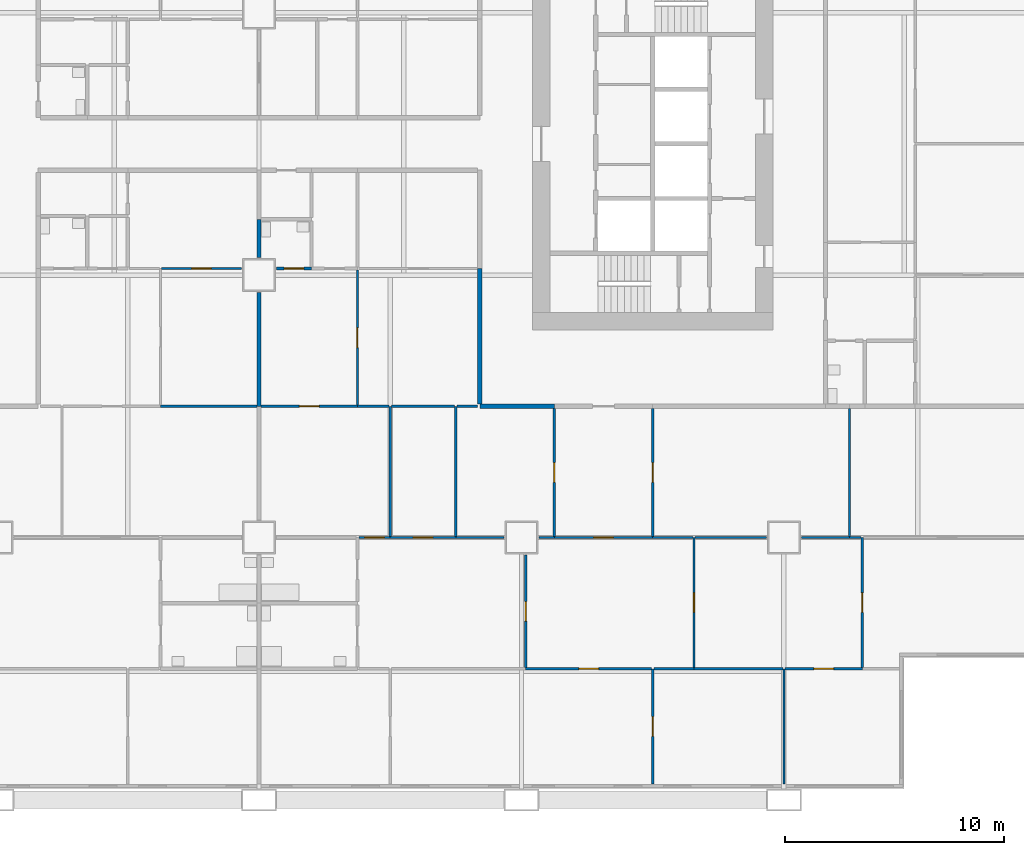
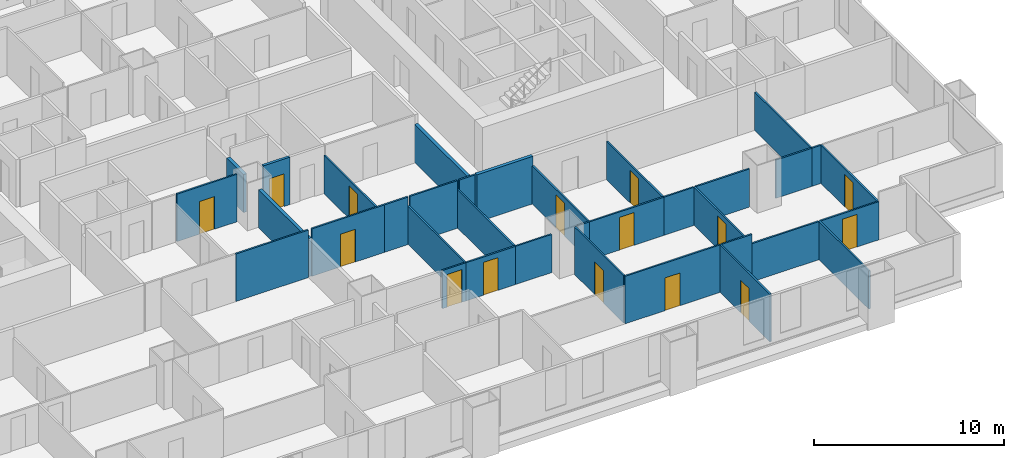
# One storey, part 6 of 14: 35 walls, 15 doors, 15 openings.
"""IFC4 building model written with IfcOpenShell, lengths in metres."""

from ifc_helpers import new_model, si_unit, direction, frame, frame_2d, origin, place, context, subcontext, project, spatial, rectangle, extrude, material, layer, layer_set, type_object, element, fill, save


model = new_model("IFC4")

# Units and contexts
model_context = context("Model", 3, precision=1e-05, world=origin(), true_north=direction((0.0, 1.0)))
body_context = subcontext(model_context, "Body", "Model", "MODEL_VIEW")
ifc_project = project(units=[si_unit("LENGTHUNIT", "METRE"), si_unit("AREAUNIT", "SQUARE_METRE"), si_unit("VOLUMEUNIT", "CUBIC_METRE"), si_unit("PLANEANGLEUNIT", "RADIAN"), si_unit("MASSUNIT", "GRAM", prefix="KILO")], contexts=[model_context])

# Site, building, storey
site_placement = place(None, origin())
site = spatial("IfcSite", under=ifc_project, at=site_placement, CompositionType="ELEMENT")
building_placement = place(site_placement, origin())
building = spatial("IfcBuilding", under=site, at=building_placement, Name="Kitamizu Gate Tower and Museum", CompositionType="ELEMENT")
storey_placement = place(building_placement, frame((0.0, 0.0, 64.5)))
storey = spatial("IfcBuildingStorey", under=building, at=storey_placement, Name="L15", CompositionType="ELEMENT", Elevation=64.5)

# Wall
ifc_material_1 = material(Name="Gypsum board on galvanised stud")
ifc_layer_1 = layer(ifc_material_1, 0.10009765625)
ifc_layer_set_1 = layer_set([ifc_layer_1], Name="Gypsum board on galvanised stud")
wall_type_1 = type_object("IfcWallType", Name="Partition 100 NOT RATED", PredefinedType="PARTITIONING", material=ifc_layer_set_1)
wall_1_placement = place(storey_placement, frame((35.89990234375, 18.0, 0.0), z_axis=(0.0, 0.0, 1.0), x_axis=(-1.0, 0.0, 0.0)))
element("IfcWall", 1, at=wall_1_placement, inside=storey, type_object=wall_type_1, Name="Partition L15-050", PredefinedType="PARTITIONING", context=body_context, shape_type="SweptSolid", body=[
    extrude(rectangle(XDim=4.39990234375, YDim=0.10009765625, at=frame_2d((2.199951171875, 0.0))), origin(), (0.0, 0.0, 1.0), 3.050048828125),
])

# Wall, opening, door
wall_2_placement = place(storey_placement, frame((35.199951171875, 24.300048828125, 0.0), z_axis=(0.0, 0.0, 1.0), x_axis=(-1.0, 0.0, 0.0)))
wall_2 = element("IfcWall", 2, at=wall_2_placement, inside=storey, type_object=wall_type_1, Name="Partition L15-058", PredefinedType="PARTITIONING", context=body_context, shape_type="SweptSolid", body=[
    extrude(rectangle(XDim=3.64990234375, YDim=0.10009765625, at=frame_2d((1.824951171875, 0.0))), origin(), (0.0, 0.0, 1.0), 3.050048828125),
])
opening_1_placement = place(wall_2_placement, frame((1.375, 0.0, 0.0)))
opening_1 = element("IfcOpeningElement", 3, at=opening_1_placement, cuts=wall_2, Name="Opening L15-023", PredefinedType="OPENING", context=body_context, shape_type="SweptSolid", body=[
    extrude(rectangle(XDim=0.89990234375, YDim=2.10009765625, at=frame_2d((0.449951171875, 1.050048828125))), frame((0.0, 0.06005859375, 0.0), z_axis=(0.0, -1.0, 0.0), x_axis=(1.0, 0.0, 0.0)), (0.0, 0.0, 1.0), 0.1201171875),
])
ifc_material_2 = material(Name="Timber door set", Category="wood")
door_type_1 = type_object("IfcDoorType", Name="Room door 900", OperationType="NOTDEFINED", PredefinedType="DOOR", material=ifc_material_2)
door_1_placement = place(opening_1_placement, frame((0.89990234375, 0.0, 0.0), x_axis=(-1.0, 0.0, 0.0)))
door_1 = element("IfcDoor", 4, at=door_1_placement, inside=storey, type_object=door_type_1, Name="Door L15-023", OperationType="SINGLE_SWING_LEFT", OverallHeight=2.10009765625, OverallWidth=0.89990234375, PredefinedType="DOOR", context=body_context, shape_type="SweptSolid", body=[
    extrude(rectangle(XDim=0.89990234375, YDim=2.10009765625, at=frame_2d((0.449951171875, 1.050048828125))), frame((0.0, 0.02490234375, 0.0), z_axis=(0.0, -1.0, 0.0), x_axis=(1.0, 0.0, 0.0)), (0.0, 0.0, 1.0), 0.050048828125),
])
fill(opening_1, door_1)

wall_3_placement = place(storey_placement, frame((54.0, 0.719970703125, 0.0), z_axis=(0.0, 0.0, 1.0), x_axis=(0.0, 1.0, 0.0)))
wall_3 = element("IfcWall", 5, at=wall_3_placement, inside=storey, type_object=wall_type_1, Name="Partition L15-074", PredefinedType="PARTITIONING", context=body_context, shape_type="SweptSolid", body=[
    extrude(rectangle(XDim=5.280029296875, YDim=0.10009765625, at=frame_2d((2.64013671875, 0.0))), origin(), (0.0, 0.0, 1.0), 3.050048828125),
])
opening_2_placement = place(wall_3_placement, frame((2.18994140625, 0.0, 0.0)))
opening_2 = element("IfcOpeningElement", 6, at=opening_2_placement, cuts=wall_3, Name="Opening L15-033", PredefinedType="OPENING", context=body_context, shape_type="SweptSolid", body=[
    extrude(rectangle(XDim=0.89990234375, YDim=2.10009765625, at=frame_2d((0.449951171875, 1.050048828125))), frame((0.0, 0.06005859375, 0.0), z_axis=(0.0, -1.0, 0.0), x_axis=(1.0, 0.0, 0.0)), (0.0, 0.0, 1.0), 0.1201171875),
])
door_2_placement = place(opening_2_placement, frame((0.89990234375, 0.0, 0.0), x_axis=(-1.0, 0.0, 0.0)))
door_2 = element("IfcDoor", 7, at=door_2_placement, inside=storey, type_object=door_type_1, Name="Door L15-033", OperationType="SINGLE_SWING_LEFT", OverallHeight=2.10009765625, OverallWidth=0.89990234375, PredefinedType="DOOR", context=body_context, shape_type="SweptSolid", body=[
    extrude(rectangle(XDim=0.89990234375, YDim=2.10009765625, at=frame_2d((0.449951171875, 1.050048828125))), frame((0.0, 0.02490234375, 0.0), z_axis=(0.0, -1.0, 0.0), x_axis=(1.0, 0.0, 0.0)), (0.0, 0.0, 1.0), 0.050048828125),
])
fill(opening_2, door_2)

wall_4_placement = place(storey_placement, frame((53.949951171875, 6.0, 0.0), z_axis=(0.0, 0.0, 1.0), x_axis=(-1.0, 0.0, 0.0)))
wall_4 = element("IfcWall", 8, at=wall_4_placement, inside=storey, type_object=wall_type_1, Name="Partition L15-076", PredefinedType="PARTITIONING", context=body_context, shape_type="SweptSolid", body=[
    extrude(rectangle(XDim=5.7548828125, YDim=0.10009765625, at=frame_2d((2.87744140625, 0.0))), origin(), (0.0, 0.0, 1.0), 3.050048828125),
])
opening_3_placement = place(wall_4_placement, frame((2.427490234375, 0.0, 0.0)))
opening_3 = element("IfcOpeningElement", 9, at=opening_3_placement, cuts=wall_4, Name="Opening L15-027", PredefinedType="OPENING", context=body_context, shape_type="SweptSolid", body=[
    extrude(rectangle(XDim=0.89990234375, YDim=2.10009765625, at=frame_2d((0.449951171875, 1.050048828125))), frame((0.0, 0.06005859375, 0.0), z_axis=(0.0, -1.0, 0.0), x_axis=(1.0, 0.0, 0.0)), (0.0, 0.0, 1.0), 0.1201171875),
])
door_3_placement = place(opening_3_placement, frame((0.89990234375, 0.0, 0.0), x_axis=(-1.0, 0.0, 0.0)))
door_3 = element("IfcDoor", 10, at=door_3_placement, inside=storey, type_object=door_type_1, Name="Door L15-027", OperationType="SINGLE_SWING_LEFT", OverallHeight=2.10009765625, OverallWidth=0.89990234375, PredefinedType="DOOR", context=body_context, shape_type="SweptSolid", body=[
    extrude(rectangle(XDim=0.89990234375, YDim=2.10009765625, at=frame_2d((0.449951171875, 1.050048828125))), frame((0.0, 0.02490234375, 0.0), z_axis=(0.0, -1.0, 0.0), x_axis=(1.0, 0.0, 0.0)), (0.0, 0.0, 1.0), 0.050048828125),
])
fill(opening_3, door_3)

# Walls
wall_5_placement = place(storey_placement, frame((60.0, 0.719970703125, 0.0), z_axis=(0.0, 0.0, 1.0), x_axis=(0.0, 1.0, 0.0)))
element("IfcWall", 11, at=wall_5_placement, inside=storey, type_object=wall_type_1, Name="Partition L15-077", PredefinedType="PARTITIONING", context=body_context, shape_type="SweptSolid", body=[
    extrude(rectangle(XDim=5.280029296875, YDim=0.10009765625, at=frame_2d((2.64013671875, 0.0))), origin(), (0.0, 0.0, 1.0), 2.449951171875),
])
wall_6_placement = place(storey_placement, frame((55.889892578125, 6.0, 0.0), z_axis=(0.0, 0.0, 1.0), x_axis=(-1.0, 0.0, 0.0)))
element("IfcWall", 12, at=wall_6_placement, inside=storey, type_object=wall_type_1, Name="Partition L15-078", PredefinedType="PARTITIONING", context=body_context, shape_type="SweptSolid", body=[
    extrude(rectangle(XDim=1.83984375, YDim=0.10009765625, at=frame_2d((0.919921875, 0.0))), origin(), (0.0, 0.0, 1.0), 3.050048828125),
])
wall_7_placement = place(storey_placement, frame((59.949951171875, 6.0, 0.0), z_axis=(0.0, 0.0, 1.0), x_axis=(-1.0, 0.0, 0.0)))
element("IfcWall", 13, at=wall_7_placement, inside=storey, type_object=wall_type_1, Name="Partition L15-079", PredefinedType="PARTITIONING", context=body_context, shape_type="SweptSolid", body=[
    extrude(rectangle(XDim=4.06005859375, YDim=0.10009765625, at=frame_2d((2.030029296875, 0.0))), origin(), (0.0, 0.0, 1.0), 2.449951171875),
])

# Wall, opening, door
wall_8_placement = place(storey_placement, frame((63.5849609375, 6.0, 0.0), z_axis=(0.0, 0.0, 1.0), x_axis=(-1.0, 0.0, 0.0)))
wall_8 = element("IfcWall", 14, at=wall_8_placement, inside=storey, type_object=wall_type_1, Name="Partition L15-080", PredefinedType="PARTITIONING", context=body_context, shape_type="SweptSolid", body=[
    extrude(rectangle(XDim=3.534912109375, YDim=0.10009765625, at=frame_2d((1.767578125, 0.0))), origin(), (0.0, 0.0, 1.0), 2.449951171875),
])
opening_4_placement = place(wall_8_placement, frame((1.3173828125, 0.0, 0.0)))
opening_4 = element("IfcOpeningElement", 15, at=opening_4_placement, cuts=wall_8, Name="Opening L15-034", PredefinedType="OPENING", context=body_context, shape_type="SweptSolid", body=[
    extrude(rectangle(XDim=0.89990234375, YDim=2.10009765625, at=frame_2d((0.449951171875, 1.050048828125))), frame((0.0, 0.06005859375, 0.0), z_axis=(0.0, -1.0, 0.0), x_axis=(1.0, 0.0, 0.0)), (0.0, 0.0, 1.0), 0.1201171875),
])
door_4_placement = place(opening_4_placement, origin())
door_4 = element("IfcDoor", 16, at=door_4_placement, inside=storey, type_object=door_type_1, Name="Door L15-034", OperationType="SINGLE_SWING_LEFT", OverallHeight=2.10009765625, OverallWidth=0.89990234375, PredefinedType="DOOR", context=body_context, shape_type="SweptSolid", body=[
    extrude(rectangle(XDim=0.89990234375, YDim=2.10009765625, at=frame_2d((0.449951171875, 1.050048828125))), frame((0.0, 0.02490234375, 0.0), z_axis=(0.0, -1.0, 0.0), x_axis=(1.0, 0.0, 0.0)), (0.0, 0.0, 1.0), 0.050048828125),
])
fill(opening_4, door_4)

wall_9_placement = place(storey_placement, frame((48.195068359375, 6.050048828125, 0.0), z_axis=(0.0, 0.0, 1.0), x_axis=(0.0, 1.0, 0.0)))
wall_9 = element("IfcWall", 17, at=wall_9_placement, inside=storey, type_object=wall_type_1, Name="Partition L15-086", PredefinedType="PARTITIONING", context=body_context, shape_type="SweptSolid", body=[
    extrude(rectangle(XDim=5.14990234375, YDim=0.10009765625, at=frame_2d((2.574951171875, 0.0))), origin(), (0.0, 0.0, 1.0), 3.050048828125),
])
opening_5_placement = place(wall_9_placement, frame((2.125, 0.0, 0.0)))
opening_5 = element("IfcOpeningElement", 18, at=opening_5_placement, cuts=wall_9, Name="Opening L15-028", PredefinedType="OPENING", context=body_context, shape_type="SweptSolid", body=[
    extrude(rectangle(XDim=0.89990234375, YDim=2.10009765625, at=frame_2d((0.449951171875, 1.050048828125))), frame((0.0, 0.06005859375, 0.0), z_axis=(0.0, -1.0, 0.0), x_axis=(1.0, 0.0, 0.0)), (0.0, 0.0, 1.0), 0.1201171875),
])
door_5_placement = place(opening_5_placement, frame((0.89990234375, 0.0, 0.0), x_axis=(-1.0, 0.0, 0.0)))
door_5 = element("IfcDoor", 19, at=door_5_placement, inside=storey, type_object=door_type_1, Name="Door L15-028", OperationType="SINGLE_SWING_RIGHT", OverallHeight=2.10009765625, OverallWidth=0.89990234375, PredefinedType="DOOR", context=body_context, shape_type="SweptSolid", body=[
    extrude(rectangle(XDim=0.89990234375, YDim=2.10009765625, at=frame_2d((0.449951171875, 1.050048828125))), frame((0.0, 0.02490234375, 0.0), z_axis=(0.0, -1.0, 0.0), x_axis=(1.0, 0.0, 0.0)), (0.0, 0.0, 1.0), 0.050048828125),
])
fill(opening_5, door_5)

wall_10_placement = place(storey_placement, frame((42.0, 12.0, 0.0), z_axis=(0.0, 0.0, 1.0), x_axis=(-1.0, 0.0, 0.0)))
wall_10 = element("IfcWall", 20, at=wall_10_placement, inside=storey, type_object=wall_type_1, Name="Partition L15-087", PredefinedType="PARTITIONING", context=body_context, shape_type="SweptSolid", body=[
    extrude(rectangle(XDim=1.425048828125, YDim=0.10009765625, at=frame_2d((0.71240234375, 0.0))), origin(), (0.0, 0.0, 1.0), 2.449951171875),
])
opening_6_placement = place(wall_10_placement, frame((0.262451171875, 0.0, 0.0)))
opening_6 = element("IfcOpeningElement", 21, at=opening_6_placement, cuts=wall_10, Name="Opening L15-036", PredefinedType="OPENING", context=body_context, shape_type="SweptSolid", body=[
    extrude(rectangle(XDim=0.89990234375, YDim=2.10009765625, at=frame_2d((0.449951171875, 1.050048828125))), frame((0.0, 0.06005859375, 0.0), z_axis=(0.0, -1.0, 0.0), x_axis=(1.0, 0.0, 0.0)), (0.0, 0.0, 1.0), 0.1201171875),
])
door_6_placement = place(opening_6_placement, frame((0.89990234375, 0.0, 0.0), x_axis=(-1.0, 0.0, 0.0)))
door_6 = element("IfcDoor", 22, at=door_6_placement, inside=storey, type_object=door_type_1, Name="Door L15-036", OperationType="SINGLE_SWING_LEFT", OverallHeight=2.10009765625, OverallWidth=0.89990234375, PredefinedType="DOOR", context=body_context, shape_type="SweptSolid", body=[
    extrude(rectangle(XDim=0.89990234375, YDim=2.10009765625, at=frame_2d((0.449951171875, 1.050048828125))), frame((0.0, 0.02490234375, 0.0), z_axis=(0.0, -1.0, 0.0), x_axis=(1.0, 0.0, 0.0)), (0.0, 0.0, 1.0), 0.050048828125),
])
fill(opening_6, door_6)

wall_11_placement = place(storey_placement, frame((45.0, 12.0, 0.0), z_axis=(0.0, 0.0, 1.0), x_axis=(-1.0, 0.0, 0.0)))
wall_11 = element("IfcWall", 23, at=wall_11_placement, inside=storey, type_object=wall_type_1, Name="Partition L15-088", PredefinedType="PARTITIONING", context=body_context, shape_type="SweptSolid", body=[
    extrude(rectangle(XDim=3.0, YDim=0.10009765625, at=frame_2d((1.5, 0.0))), origin(), (0.0, 0.0, 1.0), 2.449951171875),
])
opening_7_placement = place(wall_11_placement, frame((1.050048828125, 0.0, 0.0)))
opening_7 = element("IfcOpeningElement", 24, at=opening_7_placement, cuts=wall_11, Name="Opening L15-037", PredefinedType="OPENING", context=body_context, shape_type="SweptSolid", body=[
    extrude(rectangle(XDim=0.89990234375, YDim=2.10009765625, at=frame_2d((0.449951171875, 1.050048828125))), frame((0.0, 0.06005859375, 0.0), z_axis=(0.0, -1.0, 0.0), x_axis=(1.0, 0.0, 0.0)), (0.0, 0.0, 1.0), 0.1201171875),
])
door_7_placement = place(opening_7_placement, frame((0.89990234375, 0.0, 0.0), x_axis=(-1.0, 0.0, 0.0)))
door_7 = element("IfcDoor", 25, at=door_7_placement, inside=storey, type_object=door_type_1, Name="Door L15-037", OperationType="SINGLE_SWING_LEFT", OverallHeight=2.10009765625, OverallWidth=0.89990234375, PredefinedType="DOOR", context=body_context, shape_type="SweptSolid", body=[
    extrude(rectangle(XDim=0.89990234375, YDim=2.10009765625, at=frame_2d((0.449951171875, 1.050048828125))), frame((0.0, 0.02490234375, 0.0), z_axis=(0.0, -1.0, 0.0), x_axis=(1.0, 0.0, 0.0)), (0.0, 0.0, 1.0), 0.050048828125),
])
fill(opening_7, door_7)

# Wall
wall_12_placement = place(storey_placement, frame((47.199951171875, 12.0, 0.0), z_axis=(0.0, 0.0, 1.0), x_axis=(-1.0, 0.0, 0.0)))
element("IfcWall", 26, at=wall_12_placement, inside=storey, type_object=wall_type_1, Name="Partition L15-089", PredefinedType="PARTITIONING", context=body_context, shape_type="SweptSolid", body=[
    extrude(rectangle(XDim=2.199951171875, YDim=0.10009765625, at=frame_2d((1.10009765625, 0.0))), origin(), (0.0, 0.0, 1.0), 2.449951171875),
])

# Wall, opening, door
wall_13_placement = place(storey_placement, frame((55.889892578125, 6.050048828125, 0.0), z_axis=(0.0, 0.0, 1.0), x_axis=(0.0, 1.0, 0.0)))
wall_13 = element("IfcWall", 27, at=wall_13_placement, inside=storey, type_object=wall_type_1, Name="Partition L15-090", PredefinedType="PARTITIONING", context=body_context, shape_type="SweptSolid", body=[
    extrude(rectangle(XDim=5.949951171875, YDim=0.10009765625, at=frame_2d((2.97509765625, 0.0))), origin(), (0.0, 0.0, 1.0), 2.449951171875),
])
opening_8_placement = place(wall_13_placement, frame((2.52490234375, 0.0, 0.0)))
opening_8 = element("IfcOpeningElement", 28, at=opening_8_placement, cuts=wall_13, Name="Opening L15-029", PredefinedType="OPENING", context=body_context, shape_type="SweptSolid", body=[
    extrude(rectangle(XDim=0.89990234375, YDim=2.10009765625, at=frame_2d((0.449951171875, 1.050048828125))), frame((0.0, 0.06005859375, 0.0), z_axis=(0.0, -1.0, 0.0), x_axis=(1.0, 0.0, 0.0)), (0.0, 0.0, 1.0), 0.1201171875),
])
door_8_placement = place(opening_8_placement, frame((0.89990234375, 0.0, 0.0), x_axis=(-1.0, 0.0, 0.0)))
door_8 = element("IfcDoor", 29, at=door_8_placement, inside=storey, type_object=door_type_1, Name="Door L15-029", OperationType="SINGLE_SWING_LEFT", OverallHeight=2.10009765625, OverallWidth=0.89990234375, PredefinedType="DOOR", context=body_context, shape_type="SweptSolid", body=[
    extrude(rectangle(XDim=0.89990234375, YDim=2.10009765625, at=frame_2d((0.449951171875, 1.050048828125))), frame((0.0, 0.02490234375, 0.0), z_axis=(0.0, -1.0, 0.0), x_axis=(1.0, 0.0, 0.0)), (0.0, 0.0, 1.0), 0.050048828125),
])
fill(opening_8, door_8)

# Wall
wall_14_placement = place(storey_placement, frame((49.5, 12.0, 0.0), z_axis=(0.0, 0.0, 1.0), x_axis=(-1.0, 0.0, 0.0)))
element("IfcWall", 30, at=wall_14_placement, inside=storey, type_object=wall_type_1, Name="Partition L15-091", PredefinedType="PARTITIONING", context=body_context, shape_type="SweptSolid", body=[
    extrude(rectangle(XDim=0.699951171875, YDim=0.10009765625, at=frame_2d((0.35009765625, 0.0))), origin(), (0.0, 0.0, 1.0), 2.449951171875),
])

# Wall, opening, door
wall_15_placement = place(storey_placement, frame((54.0, 12.0, 0.0), z_axis=(0.0, 0.0, 1.0), x_axis=(-1.0, 0.0, 0.0)))
wall_15 = element("IfcWall", 31, at=wall_15_placement, inside=storey, type_object=wall_type_1, Name="Partition L15-092", PredefinedType="PARTITIONING", context=body_context, shape_type="SweptSolid", body=[
    extrude(rectangle(XDim=4.5, YDim=0.10009765625, at=frame_2d((2.25, 0.0))), origin(), (0.0, 0.0, 1.0), 2.449951171875),
])
opening_9_placement = place(wall_15_placement, frame((1.800048828125, 0.0, 0.0)))
opening_9 = element("IfcOpeningElement", 32, at=opening_9_placement, cuts=wall_15, Name="Opening L15-026", PredefinedType="OPENING", context=body_context, shape_type="SweptSolid", body=[
    extrude(rectangle(XDim=0.89990234375, YDim=2.10009765625, at=frame_2d((0.449951171875, 1.050048828125))), frame((0.0, 0.06005859375, 0.0), z_axis=(0.0, -1.0, 0.0), x_axis=(1.0, 0.0, 0.0)), (0.0, 0.0, 1.0), 0.1201171875),
])
door_9_placement = place(opening_9_placement, origin())
door_9 = element("IfcDoor", 33, at=door_9_placement, inside=storey, type_object=door_type_1, Name="Door L15-026", OperationType="SINGLE_SWING_LEFT", OverallHeight=2.10009765625, OverallWidth=0.89990234375, PredefinedType="DOOR", context=body_context, shape_type="SweptSolid", body=[
    extrude(rectangle(XDim=0.89990234375, YDim=2.10009765625, at=frame_2d((0.449951171875, 1.050048828125))), frame((0.0, 0.02490234375, 0.0), z_axis=(0.0, -1.0, 0.0), x_axis=(1.0, 0.0, 0.0)), (0.0, 0.0, 1.0), 0.050048828125),
])
fill(opening_9, door_9)

# Wall
wall_16_placement = place(storey_placement, frame((55.840087890625, 12.0, 0.0), z_axis=(0.0, 0.0, 1.0), x_axis=(-1.0, 0.0, 0.0)))
element("IfcWall", 34, at=wall_16_placement, inside=storey, type_object=wall_type_1, Name="Partition L15-093", PredefinedType="PARTITIONING", context=body_context, shape_type="SweptSolid", body=[
    extrude(rectangle(XDim=1.840087890625, YDim=0.10009765625, at=frame_2d((0.919921875, 0.0))), origin(), (0.0, 0.0, 1.0), 2.449951171875),
])

# Wall, opening, door
wall_17_placement = place(storey_placement, frame((63.5849609375, 6.050048828125, 0.0), z_axis=(0.0, 0.0, 1.0), x_axis=(0.0, 1.0, 0.0)))
wall_17 = element("IfcWall", 35, at=wall_17_placement, inside=storey, type_object=wall_type_1, Name="Partition L15-094", PredefinedType="PARTITIONING", context=body_context, shape_type="SweptSolid", body=[
    extrude(rectangle(XDim=5.949951171875, YDim=0.10009765625, at=frame_2d((2.97509765625, 0.0))), origin(), (0.0, 0.0, 1.0), 2.449951171875),
])
opening_10_placement = place(wall_17_placement, frame((2.52490234375, 0.0, 0.0)))
opening_10 = element("IfcOpeningElement", 36, at=opening_10_placement, cuts=wall_17, Name="Opening L15-030", PredefinedType="OPENING", context=body_context, shape_type="SweptSolid", body=[
    extrude(rectangle(XDim=0.89990234375, YDim=2.10009765625, at=frame_2d((0.449951171875, 1.050048828125))), frame((0.0, 0.06005859375, 0.0), z_axis=(0.0, -1.0, 0.0), x_axis=(1.0, 0.0, 0.0)), (0.0, 0.0, 1.0), 0.1201171875),
])
door_10_placement = place(opening_10_placement, frame((0.89990234375, 0.0, 0.0), x_axis=(-1.0, 0.0, 0.0)))
door_10 = element("IfcDoor", 37, at=door_10_placement, inside=storey, type_object=door_type_1, Name="Door L15-030", OperationType="SINGLE_SWING_RIGHT", OverallHeight=2.10009765625, OverallWidth=0.89990234375, PredefinedType="DOOR", context=body_context, shape_type="SweptSolid", body=[
    extrude(rectangle(XDim=0.89990234375, YDim=2.10009765625, at=frame_2d((0.449951171875, 1.050048828125))), frame((0.0, 0.02490234375, 0.0), z_axis=(0.0, -1.0, 0.0), x_axis=(1.0, 0.0, 0.0)), (0.0, 0.0, 1.0), 0.050048828125),
])
fill(opening_10, door_10)

# Walls
wall_18_placement = place(storey_placement, frame((59.199951171875, 12.0, 0.0), z_axis=(0.0, 0.0, 1.0), x_axis=(-1.0, 0.0, 0.0)))
element("IfcWall", 38, at=wall_18_placement, inside=storey, type_object=wall_type_1, Name="Partition L15-095", PredefinedType="PARTITIONING", context=body_context, shape_type="SweptSolid", body=[
    extrude(rectangle(XDim=3.260009765625, YDim=0.10009765625, at=frame_2d((1.6298828125, 0.0))), origin(), (0.0, 0.0, 1.0), 2.449951171875),
])
wall_19_placement = place(storey_placement, frame((63.0, 12.0, 0.0), z_axis=(0.0, 0.0, 1.0), x_axis=(-1.0, 0.0, 0.0)))
element("IfcWall", 39, at=wall_19_placement, inside=storey, type_object=wall_type_1, Name="Partition L15-096", PredefinedType="PARTITIONING", context=body_context, shape_type="SweptSolid", body=[
    extrude(rectangle(XDim=2.199951171875, YDim=0.10009765625, at=frame_2d((1.10009765625, 0.0))), origin(), (0.0, 0.0, 1.0), 2.449951171875),
])
wall_20_placement = place(storey_placement, frame((63.534912109375, 12.0, 0.0), z_axis=(0.0, 0.0, 1.0), x_axis=(-1.0, 0.0, 0.0)))
element("IfcWall", 40, at=wall_20_placement, inside=storey, type_object=wall_type_1, Name="Partition L15-097", PredefinedType="PARTITIONING", context=body_context, shape_type="SweptSolid", body=[
    extrude(rectangle(XDim=0.534912109375, YDim=0.10009765625, at=frame_2d((0.267578125, 0.0))), origin(), (0.0, 0.0, 1.0), 2.449951171875),
])
wall_21_placement = place(storey_placement, frame((42.0, 12.050048828125, 0.0), z_axis=(0.0, 0.0, 1.0), x_axis=(0.0, 1.0, 0.0)))
element("IfcWall", 41, at=wall_21_placement, inside=storey, type_object=wall_type_1, Name="Partition L15-099", PredefinedType="PARTITIONING", context=body_context, shape_type="SweptSolid", body=[
    extrude(rectangle(XDim=5.949951171875, YDim=0.10009765625, at=frame_2d((2.97509765625, 0.0))), origin(), (0.0, 0.0, 1.0), 2.449951171875),
])

# Wall, opening, door
wall_22_placement = place(storey_placement, frame((40.5, 18.0, 0.0), z_axis=(0.0, 0.0, 1.0), x_axis=(-1.0, 0.0, 0.0)))
wall_22 = element("IfcWall", 42, at=wall_22_placement, inside=storey, type_object=wall_type_1, Name="Partition L15-100", PredefinedType="PARTITIONING", context=body_context, shape_type="SweptSolid", body=[
    extrude(rectangle(XDim=4.39990234375, YDim=0.10009765625, at=frame_2d((2.199951171875, 0.0))), origin(), (0.0, 0.0, 1.0), 3.050048828125),
])
opening_11_placement = place(wall_22_placement, frame((1.75, 0.0, 0.0)))
opening_11 = element("IfcOpeningElement", 43, at=opening_11_placement, cuts=wall_22, Name="Opening L15-041", PredefinedType="OPENING", context=body_context, shape_type="SweptSolid", body=[
    extrude(rectangle(XDim=0.89990234375, YDim=2.10009765625, at=frame_2d((0.449951171875, 1.050048828125))), frame((0.0, 0.06005859375, 0.0), z_axis=(0.0, -1.0, 0.0), x_axis=(1.0, 0.0, 0.0)), (0.0, 0.0, 1.0), 0.1201171875),
])
door_11_placement = place(opening_11_placement, frame((0.89990234375, 0.0, 0.0), x_axis=(-1.0, 0.0, 0.0)))
door_11 = element("IfcDoor", 44, at=door_11_placement, inside=storey, type_object=door_type_1, Name="Door L15-041", OperationType="SINGLE_SWING_LEFT", OverallHeight=2.10009765625, OverallWidth=0.89990234375, PredefinedType="DOOR", context=body_context, shape_type="SweptSolid", body=[
    extrude(rectangle(XDim=0.89990234375, YDim=2.10009765625, at=frame_2d((0.449951171875, 1.050048828125))), frame((0.0, 0.02490234375, 0.0), z_axis=(0.0, -1.0, 0.0), x_axis=(1.0, 0.0, 0.0)), (0.0, 0.0, 1.0), 0.050048828125),
])
fill(opening_11, door_11)

# Walls
wall_23_placement = place(storey_placement, frame((41.949951171875, 18.0, 0.0), z_axis=(0.0, 0.0, 1.0), x_axis=(-1.0, 0.0, 0.0)))
element("IfcWall", 45, at=wall_23_placement, inside=storey, type_object=wall_type_1, Name="Partition L15-101", PredefinedType="PARTITIONING", context=body_context, shape_type="SweptSolid", body=[
    extrude(rectangle(XDim=1.449951171875, YDim=0.10009765625, at=frame_2d((0.72509765625, 0.0))), origin(), (0.0, 0.0, 1.0), 3.050048828125),
])
wall_24_placement = place(storey_placement, frame((45.0, 12.050048828125, 0.0), z_axis=(0.0, 0.0, 1.0), x_axis=(0.0, 1.0, 0.0)))
element("IfcWall", 46, at=wall_24_placement, inside=storey, type_object=wall_type_1, Name="Partition L15-102", PredefinedType="PARTITIONING", context=body_context, shape_type="SweptSolid", body=[
    extrude(rectangle(XDim=5.949951171875, YDim=0.10009765625, at=frame_2d((2.97509765625, 0.0))), origin(), (0.0, 0.0, 1.0), 2.449951171875),
])
wall_25_placement = place(storey_placement, frame((44.949951171875, 18.0, 0.0), z_axis=(0.0, 0.0, 1.0), x_axis=(-1.0, 0.0, 0.0)))
element("IfcWall", 47, at=wall_25_placement, inside=storey, type_object=wall_type_1, Name="Partition L15-103", PredefinedType="PARTITIONING", context=body_context, shape_type="SweptSolid", body=[
    extrude(rectangle(XDim=2.89990234375, YDim=0.10009765625, at=frame_2d((1.449951171875, 0.0))), origin(), (0.0, 0.0, 1.0), 3.050048828125),
])

# Wall, opening, door
wall_26_placement = place(storey_placement, frame((49.5, 12.050048828125, 0.0), z_axis=(0.0, 0.0, 1.0), x_axis=(0.0, 1.0, 0.0)))
wall_26 = element("IfcWall", 48, at=wall_26_placement, inside=storey, type_object=wall_type_1, Name="Partition L15-104", PredefinedType="PARTITIONING", context=body_context, shape_type="SweptSolid", body=[
    extrude(rectangle(XDim=5.849853515625, YDim=0.10009765625, at=frame_2d((2.9248046875, 0.0))), origin(), (0.0, 0.0, 1.0), 2.449951171875),
])
opening_12_placement = place(wall_26_placement, frame((2.47509765625, 0.0, 0.0)))
opening_12 = element("IfcOpeningElement", 49, at=opening_12_placement, cuts=wall_26, Name="Opening L15-038", PredefinedType="OPENING", context=body_context, shape_type="SweptSolid", body=[
    extrude(rectangle(XDim=0.89990234375, YDim=2.10009765625, at=frame_2d((0.449951171875, 1.050048828125))), frame((0.0, 0.06005859375, 0.0), z_axis=(0.0, -1.0, 0.0), x_axis=(1.0, 0.0, 0.0)), (0.0, 0.0, 1.0), 0.1201171875),
])
door_12_placement = place(opening_12_placement, origin())
door_12 = element("IfcDoor", 50, at=door_12_placement, inside=storey, type_object=door_type_1, Name="Door L15-038", OperationType="SINGLE_SWING_LEFT", OverallHeight=2.10009765625, OverallWidth=0.89990234375, PredefinedType="DOOR", context=body_context, shape_type="SweptSolid", body=[
    extrude(rectangle(XDim=0.89990234375, YDim=2.10009765625, at=frame_2d((0.449951171875, 1.050048828125))), frame((0.0, 0.02490234375, 0.0), z_axis=(0.0, -1.0, 0.0), x_axis=(1.0, 0.0, 0.0)), (0.0, 0.0, 1.0), 0.050048828125),
])
fill(opening_12, door_12)

# Wall
wall_27_placement = place(storey_placement, frame((46.0, 18.0, 0.0), z_axis=(0.0, 0.0, 1.0), x_axis=(-1.0, 0.0, 0.0)))
element("IfcWall", 51, at=wall_27_placement, inside=storey, type_object=wall_type_1, Name="Partition L15-105", PredefinedType="PARTITIONING", context=body_context, shape_type="SweptSolid", body=[
    extrude(rectangle(XDim=0.949951171875, YDim=0.10009765625, at=frame_2d((0.47509765625, 0.0))), origin(), (0.0, 0.0, 1.0), 3.050048828125),
])

# Wall, opening, door
wall_28_placement = place(storey_placement, frame((54.0, 12.050048828125, 0.0), z_axis=(0.0, 0.0, 1.0), x_axis=(0.0, 1.0, 0.0)))
wall_28 = element("IfcWall", 52, at=wall_28_placement, inside=storey, type_object=wall_type_1, Name="Partition L15-107", PredefinedType="PARTITIONING", context=body_context, shape_type="SweptSolid", body=[
    extrude(rectangle(XDim=5.849853515625, YDim=0.10009765625, at=frame_2d((2.9248046875, 0.0))), origin(), (0.0, 0.0, 1.0), 2.449951171875),
])
opening_13_placement = place(wall_28_placement, frame((2.47509765625, 0.0, 0.0)))
opening_13 = element("IfcOpeningElement", 53, at=opening_13_placement, cuts=wall_28, Name="Opening L15-039", PredefinedType="OPENING", context=body_context, shape_type="SweptSolid", body=[
    extrude(rectangle(XDim=0.89990234375, YDim=2.10009765625, at=frame_2d((0.449951171875, 1.050048828125))), frame((0.0, 0.06005859375, 0.0), z_axis=(0.0, -1.0, 0.0), x_axis=(1.0, 0.0, 0.0)), (0.0, 0.0, 1.0), 0.1201171875),
])
door_13_placement = place(opening_13_placement, frame((0.89990234375, 0.0, 0.0), x_axis=(-1.0, 0.0, 0.0)))
door_13 = element("IfcDoor", 54, at=door_13_placement, inside=storey, type_object=door_type_1, Name="Door L15-039", OperationType="SINGLE_SWING_LEFT", OverallHeight=2.10009765625, OverallWidth=0.89990234375, PredefinedType="DOOR", context=body_context, shape_type="SweptSolid", body=[
    extrude(rectangle(XDim=0.89990234375, YDim=2.10009765625, at=frame_2d((0.449951171875, 1.050048828125))), frame((0.0, 0.02490234375, 0.0), z_axis=(0.0, -1.0, 0.0), x_axis=(1.0, 0.0, 0.0)), (0.0, 0.0, 1.0), 0.050048828125),
])
fill(opening_13, door_13)

# Wall
wall_29_placement = place(storey_placement, frame((63.0, 12.050048828125, 0.0), z_axis=(0.0, 0.0, 1.0), x_axis=(0.0, 1.0, 0.0)))
element("IfcWall", 55, at=wall_29_placement, inside=storey, type_object=wall_type_1, Name="Partition L15-109", PredefinedType="PARTITIONING", context=body_context, shape_type="SweptSolid", body=[
    extrude(rectangle(XDim=5.849853515625, YDim=0.10009765625, at=frame_2d((2.9248046875, 0.0))), origin(), (0.0, 0.0, 1.0), 2.449951171875),
])

# Wall, opening, door
wall_30_placement = place(storey_placement, frame((40.5, 18.050048828125, 0.0), z_axis=(0.0, 0.0, 1.0), x_axis=(0.0, 1.0, 0.0)))
wall_30 = element("IfcWall", 56, at=wall_30_placement, inside=storey, type_object=wall_type_1, Name="Partition L15-115", PredefinedType="PARTITIONING", context=body_context, shape_type="SweptSolid", body=[
    extrude(rectangle(XDim=6.175048828125, YDim=0.10009765625, at=frame_2d((3.08740234375, 0.0))), origin(), (0.0, 0.0, 1.0), 2.449951171875),
])
opening_14_placement = place(wall_30_placement, frame((2.637451171875, 0.0, 0.0)))
opening_14 = element("IfcOpeningElement", 57, at=opening_14_placement, cuts=wall_30, Name="Opening L15-042", PredefinedType="OPENING", context=body_context, shape_type="SweptSolid", body=[
    extrude(rectangle(XDim=0.89990234375, YDim=2.10009765625, at=frame_2d((0.449951171875, 1.050048828125))), frame((0.0, 0.06005859375, 0.0), z_axis=(0.0, -1.0, 0.0), x_axis=(1.0, 0.0, 0.0)), (0.0, 0.0, 1.0), 0.1201171875),
])
door_14_placement = place(opening_14_placement, origin())
door_14 = element("IfcDoor", 58, at=door_14_placement, inside=storey, type_object=door_type_1, Name="Door L15-042", OperationType="SINGLE_SWING_LEFT", OverallHeight=2.10009765625, OverallWidth=0.89990234375, PredefinedType="DOOR", context=body_context, shape_type="SweptSolid", body=[
    extrude(rectangle(XDim=0.89990234375, YDim=2.10009765625, at=frame_2d((0.449951171875, 1.050048828125))), frame((0.0, 0.02490234375, 0.0), z_axis=(0.0, -1.0, 0.0), x_axis=(1.0, 0.0, 0.0)), (0.0, 0.0, 1.0), 0.050048828125),
])
fill(opening_14, door_14)

ifc_material_3 = material(Name="Gypsum board on galvanised stud")
ifc_layer_2 = layer(ifc_material_3, 0.14990234375)
ifc_layer_set_2 = layer_set([ifc_layer_2], Name="Gypsum board on galvanised stud")
wall_type_2 = type_object("IfcWallType", Name="Partition 150", PredefinedType="PARTITIONING", material=ifc_layer_set_2)
wall_31_placement = place(storey_placement, frame((38.39990234375, 24.300048828125, 0.0), z_axis=(0.0, 0.0, 1.0), x_axis=(-1.0, 0.0, 0.0)))
wall_31 = element("IfcWall", 59, at=wall_31_placement, inside=storey, type_object=wall_type_2, Name="Partition L15-116", PredefinedType="PARTITIONING", context=body_context, shape_type="SweptSolid", body=[
    extrude(rectangle(XDim=1.599853515625, YDim=0.14990234375, at=frame_2d((0.7998046875, 0.0))), origin(), (0.0, 0.0, 1.0), 3.050048828125),
])
opening_15_placement = place(wall_31_placement, frame((0.35009765625, 0.0, 0.0)))
opening_15 = element("IfcOpeningElement", 60, at=opening_15_placement, cuts=wall_31, Name="Opening L15-043", PredefinedType="OPENING", context=body_context, shape_type="SweptSolid", body=[
    extrude(rectangle(XDim=0.89990234375, YDim=2.10009765625, at=frame_2d((0.449951171875, 1.050048828125))), frame((0.0, 0.0849609375, 0.0), z_axis=(0.0, -1.0, 0.0), x_axis=(1.0, 0.0, 0.0)), (0.0, 0.0, 1.0), 0.169921875),
])
ifc_material_4 = material(Name="Timber door set", Category="wood")
door_type_2 = type_object("IfcDoorType", Name="Bathroom door 900", OperationType="NOTDEFINED", PredefinedType="DOOR", material=ifc_material_4)
door_15_placement = place(opening_15_placement, frame((0.89990234375, 0.0, 0.0), x_axis=(-1.0, 0.0, 0.0)))
door_15 = element("IfcDoor", 61, at=door_15_placement, inside=storey, type_object=door_type_2, Name="Bathroom door L15-043", OperationType="SINGLE_SWING_LEFT", OverallHeight=2.10009765625, OverallWidth=0.89990234375, PredefinedType="DOOR", context=body_context, shape_type="SweptSolid", body=[
    extrude(rectangle(XDim=0.89990234375, YDim=2.10009765625, at=frame_2d((0.449951171875, 1.050048828125))), frame((0.0, 0.02490234375, 0.0), z_axis=(0.0, -1.0, 0.0), x_axis=(1.0, 0.0, 0.0)), (0.0, 0.0, 1.0), 0.050048828125),
])
fill(opening_15, door_15)

# Walls
ifc_material_5 = material(Name="Gypsum board on galvanised stud")
ifc_layer_3 = layer(ifc_material_5, 0.199951171875)
ifc_layer_set_3 = layer_set([ifc_layer_3], Name="Gypsum board on galvanised stud")
wall_type_3 = type_object("IfcWallType", Name="Partition 200", PredefinedType="PARTITIONING", material=ifc_layer_set_3)
wall_32_placement = place(storey_placement, frame((36.0, 18.0, 0.0), z_axis=(0.0, 0.0, 1.0), x_axis=(0.0, 1.0, 0.0)))
element("IfcWall", 62, at=wall_32_placement, inside=storey, type_object=wall_type_3, Name="Partition L15-059", PredefinedType="PARTITIONING", context=body_context, shape_type="SweptSolid", body=[
    extrude(rectangle(XDim=5.199951171875, YDim=0.199951171875, at=frame_2d((2.60009765625, 0.0))), origin(), (0.0, 0.0, 1.0), 2.449951171875),
])
wall_33_placement = place(storey_placement, frame((36.0, 24.800048828125, 0.0), z_axis=(0.0, 0.0, 1.0), x_axis=(0.0, 1.0, 0.0)))
element("IfcWall", 63, at=wall_33_placement, inside=storey, type_object=wall_type_3, Name="Partition L15-068", PredefinedType="PARTITIONING", context=body_context, shape_type="SweptSolid", body=[
    extrude(rectangle(XDim=1.75, YDim=0.199951171875, at=frame_2d((0.875, 0.0))), origin(), (0.0, 0.0, 1.0), 2.449951171875),
])
wall_34_placement = place(storey_placement, frame((49.5, 18.0, 0.0), z_axis=(0.0, 0.0, 1.0), x_axis=(-1.0, 0.0, 0.0)))
element("IfcWall", 64, at=wall_34_placement, inside=storey, type_object=wall_type_3, Name="Partition L15-106", PredefinedType="PARTITIONING", context=body_context, shape_type="SweptSolid", body=[
    extrude(rectangle(XDim=3.39990234375, YDim=0.199951171875, at=frame_2d((1.699951171875, 0.0))), origin(), (0.0, 0.0, 1.0), 3.050048828125),
])
wall_35_placement = place(storey_placement, frame((46.10009765625, 18.10009765625, 0.0), z_axis=(0.0, 0.0, 1.0), x_axis=(0.0, 1.0, 0.0)))
element("IfcWall", 65, at=wall_35_placement, inside=storey, type_object=wall_type_3, Name="Partition L15-119", PredefinedType="PARTITIONING", context=body_context, shape_type="SweptSolid", body=[
    extrude(rectangle(XDim=6.199951171875, YDim=0.199951171875, at=frame_2d((3.10009765625, 0.0))), origin(), (0.0, 0.0, 1.0), 2.449951171875),
])

save(model, "model.ifc")
